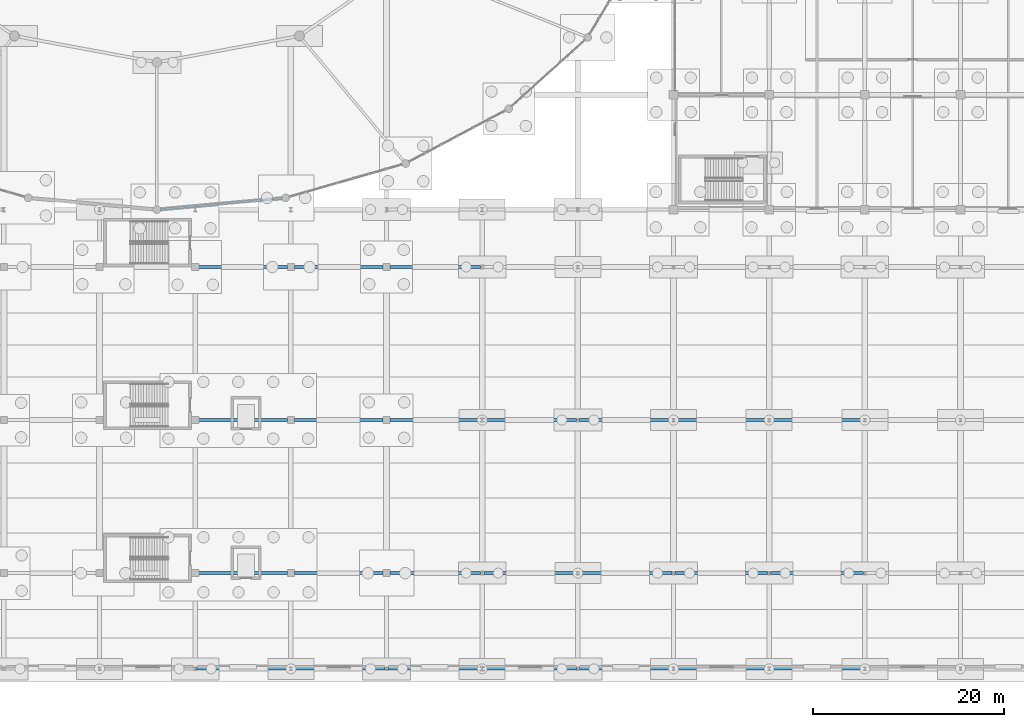
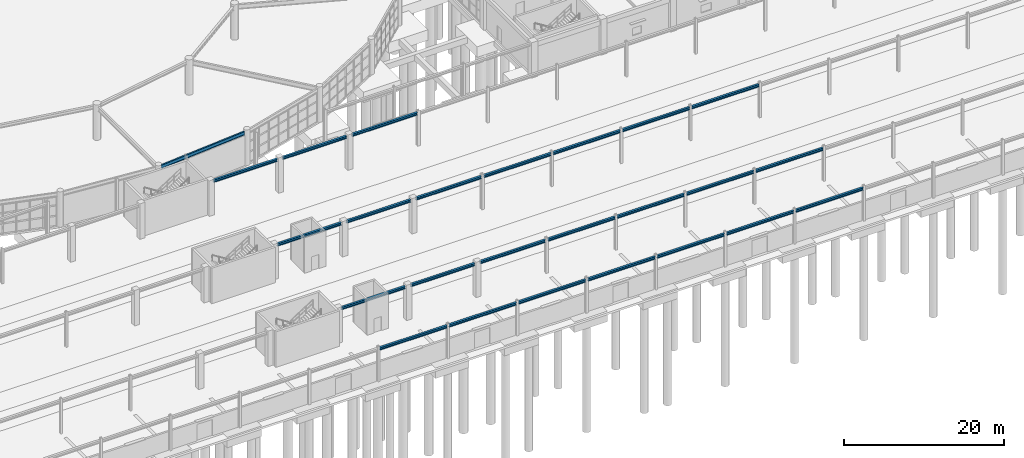
# One storey, part 33 of 99: 25 beams.
"""IFC4 building model written with IfcOpenShell, lengths in metres."""

from ifc_helpers import new_model, si_unit, direction, frame, origin, origin_2d, place, context, subcontext, project, spatial, i_section, extrude, material, material_profile, profile_set, type_object, element, save


model = new_model("IFC4")

# Units and contexts
model_context = context("Model", 3, precision=1e-05, world=origin(), true_north=direction((0.0, 1.0)))
body_context = subcontext(model_context, "Body", "Model", "MODEL_VIEW")
ifc_project = project(units=[si_unit("LENGTHUNIT", "METRE"), si_unit("AREAUNIT", "SQUARE_METRE"), si_unit("VOLUMEUNIT", "CUBIC_METRE"), si_unit("PLANEANGLEUNIT", "RADIAN"), si_unit("MASSUNIT", "GRAM", prefix="KILO")], contexts=[model_context])

# Site, building, storey
site_placement = place(None, origin())
site = spatial("IfcSite", under=ifc_project, at=site_placement, CompositionType="ELEMENT")
building_placement = place(site_placement, origin())
building = spatial("IfcBuilding", under=site, at=building_placement, Name="Kivolera Central Railway Station", CompositionType="ELEMENT")
storey_placement = place(building_placement, origin())
storey = spatial("IfcBuildingStorey", under=building, at=storey_placement, Name="L00", CompositionType="ELEMENT", Elevation=0.0)

# Beams
ifc_material = material(Name="Steel S355", Category="steel")
ifc_material_profile_1 = material_profile(ifc_material, i_section(OverallWidth=0.300048828125, OverallDepth=0.389892578125, WebThickness=0.010986328125, FlangeThickness=0.01904296875, FilletRadius=0.027099609375, at=origin_2d()), Name="HEA 400")
ifc_profile_set_1 = profile_set([ifc_material_profile_1], Name="Steel S355")
beam_type_1 = type_object("IfcBeamType", Name="BM-SHD-HEA400", PredefinedType="BEAM", material=ifc_profile_set_1)
beam_1_placement = place(storey_placement, frame((68.14697265625, 6.0, 4.919921875), z_axis=(1.0, 0.0, 0.0), x_axis=(0.0, 1.0, 0.0)))
element("IfcBeam", 1, at=beam_1_placement, inside=storey, type_object=beam_type_1, Name="Train Shed Longitudinal Tie Beam A:7-8", PredefinedType="BEAM", context=body_context, shape_type="SweptSolid", body=[
    extrude(i_section(OverallWidth=0.300048828125, OverallDepth=0.389892578125, WebThickness=0.010986328125, FlangeThickness=0.01904296875, FilletRadius=0.027099609375, at=origin_2d()), origin(), (0.0, 0.0, 1.0), 9.7060546875),
])
for number, where, z_axis, x_axis, name in (
    (2, (68.366943359375, 16.0, 4.919921875), (1.0, 0.0, 0.0), (0.0, 1.0, 0.0), "Train Shed Longitudinal Tie Beam B:7-8"),
    (3, (68.366943359375, 32.0, 4.919921875), (1.0, 0.0, 0.0), (0.0, 1.0, 0.0), "Train Shed Longitudinal Tie Beam C:7-8"),
    (4, (68.366943359375, 48.0, 4.919921875), (1.0, 0.0, 0.0), (0.0, 1.0, 0.0), "Train Shed Longitudinal Tie Beam D:7-8"),
):
    element("IfcBeam", number, at=place(storey_placement, frame(where, z_axis=z_axis, x_axis=x_axis)), inside=storey, type_object=beam_type_1, Name=name, PredefinedType="BEAM", context=body_context, shape_type="SweptSolid", body=[
        extrude(i_section(OverallWidth=0.300048828125, OverallDepth=0.389892578125, WebThickness=0.010986328125, FlangeThickness=0.01904296875, FilletRadius=0.027099609375, at=origin_2d()), origin(), (0.0, 0.0, 1.0), 9.26611328125),
    ])
beam_2_placement = place(storey_placement, frame((78.14697265625, 6.0, 4.919921875), z_axis=(1.0, 0.0, 0.0), x_axis=(0.0, 1.0, 0.0)))
element("IfcBeam", 5, at=beam_2_placement, inside=storey, type_object=beam_type_1, Name="Train Shed Longitudinal Tie Beam A:8-9", PredefinedType="BEAM", context=body_context, shape_type="SweptSolid", body=[
    extrude(i_section(OverallWidth=0.300048828125, OverallDepth=0.389892578125, WebThickness=0.010986328125, FlangeThickness=0.01904296875, FilletRadius=0.027099609375, at=origin_2d()), origin(), (0.0, 0.0, 1.0), 9.7060546875),
])
for number, where, z_axis, x_axis, name in (
    (6, (78.366943359375, 16.0, 4.919921875), (1.0, 0.0, 0.0), (0.0, 1.0, 0.0), "Train Shed Longitudinal Tie Beam B:8-9"),
    (7, (78.366943359375, 32.0, 4.919921875), (1.0, 0.0, 0.0), (0.0, 1.0, 0.0), "Train Shed Longitudinal Tie Beam C:8-9"),
    (8, (78.366943359375, 48.0, 4.919921875), (1.0, 0.0, 0.0), (0.0, 1.0, 0.0), "Train Shed Longitudinal Tie Beam D:8-9"),
):
    element("IfcBeam", number, at=place(storey_placement, frame(where, z_axis=z_axis, x_axis=x_axis)), inside=storey, type_object=beam_type_1, Name=name, PredefinedType="BEAM", context=body_context, shape_type="SweptSolid", body=[
        extrude(i_section(OverallWidth=0.300048828125, OverallDepth=0.389892578125, WebThickness=0.010986328125, FlangeThickness=0.01904296875, FilletRadius=0.027099609375, at=origin_2d()), origin(), (0.0, 0.0, 1.0), 9.26611328125),
    ])
beam_3_placement = place(storey_placement, frame((88.14697265625, 6.0, 4.919921875), z_axis=(1.0, 0.0, 0.0), x_axis=(0.0, 1.0, 0.0)))
element("IfcBeam", 9, at=beam_3_placement, inside=storey, type_object=beam_type_1, Name="Train Shed Longitudinal Tie Beam A:9-10", PredefinedType="BEAM", context=body_context, shape_type="SweptSolid", body=[
    extrude(i_section(OverallWidth=0.300048828125, OverallDepth=0.389892578125, WebThickness=0.010986328125, FlangeThickness=0.01904296875, FilletRadius=0.027099609375, at=origin_2d()), origin(), (0.0, 0.0, 1.0), 9.676025390625),
])
for number, where, z_axis, x_axis, name in (
    (10, (88.366943359375, 16.0, 4.919921875), (1.0, 0.0, 0.0), (0.0, 1.0, 0.0), "Train Shed Longitudinal Tie Beam B:9-10"),
    (11, (88.366943359375, 32.0, 4.919921875), (1.0, 0.0, 0.0), (0.0, 1.0, 0.0), "Train Shed Longitudinal Tie Beam C:9-10"),
    (12, (88.366943359375, 48.0, 4.919921875), (1.0, 0.0, 0.0), (0.0, 1.0, 0.0), "Train Shed Longitudinal Tie Beam D:9-10"),
):
    element("IfcBeam", number, at=place(storey_placement, frame(where, z_axis=z_axis, x_axis=x_axis)), inside=storey, type_object=beam_type_1, Name=name, PredefinedType="BEAM", context=body_context, shape_type="SweptSolid", body=[
        extrude(i_section(OverallWidth=0.300048828125, OverallDepth=0.389892578125, WebThickness=0.010986328125, FlangeThickness=0.01904296875, FilletRadius=0.027099609375, at=origin_2d()), origin(), (0.0, 0.0, 1.0), 9.4560546875),
    ])
for number, where, z_axis, x_axis, name in (
    (13, (98.177001953125, 6.0, 4.919921875), (1.0, 0.0, 0.0), (0.0, 1.0, 0.0), "Train Shed Longitudinal Tie Beam A:10-11"),
    (14, (98.177001953125, 16.0, 4.919921875), (1.0, 0.0, 0.0), (0.0, 1.0, 0.0), "Train Shed Longitudinal Tie Beam B:10-11"),
    (15, (98.177001953125, 32.0, 4.919921875), (1.0, 0.0, 0.0), (0.0, 1.0, 0.0), "Train Shed Longitudinal Tie Beam C:10-11"),
):
    element("IfcBeam", number, at=place(storey_placement, frame(where, z_axis=z_axis, x_axis=x_axis)), inside=storey, type_object=beam_type_1, Name=name, PredefinedType="BEAM", context=body_context, shape_type="SweptSolid", body=[
        extrude(i_section(OverallWidth=0.300048828125, OverallDepth=0.389892578125, WebThickness=0.010986328125, FlangeThickness=0.01904296875, FilletRadius=0.027099609375, at=origin_2d()), origin(), (0.0, 0.0, 1.0), 9.676025390625),
    ])
for number, where, z_axis, x_axis, name in (
    (16, (108.14697265625, 6.0, 4.919921875), (1.0, 0.0, 0.0), (0.0, 1.0, 0.0), "Train Shed Longitudinal Tie Beam A:11-12"),
    (17, (108.14697265625, 16.0, 4.919921875), (1.0, 0.0, 0.0), (0.0, 1.0, 0.0), "Train Shed Longitudinal Tie Beam B:11-12"),
    (18, (108.14697265625, 32.0, 4.919921875), (1.0, 0.0, 0.0), (0.0, 1.0, 0.0), "Train Shed Longitudinal Tie Beam C:11-12"),
    (19, (118.14697265625, 6.0, 4.919921875), (1.0, 0.0, 0.0), (0.0, 1.0, 0.0), "Train Shed Longitudinal Tie Beam A:12-13"),
    (20, (118.14697265625, 16.0, 4.919921875), (1.0, 0.0, 0.0), (0.0, 1.0, 0.0), "Train Shed Longitudinal Tie Beam B:12-13"),
    (21, (118.14697265625, 32.0, 4.919921875), (1.0, 0.0, 0.0), (0.0, 1.0, 0.0), "Train Shed Longitudinal Tie Beam C:12-13"),
    (22, (128.14697265625, 6.0, 4.919921875), (1.0, 0.0, 0.0), (0.0, 1.0, 0.0), "Train Shed Longitudinal Tie Beam A:13-14"),
    (23, (128.14697265625, 16.0, 4.919921875), (1.0, 0.0, 0.0), (0.0, 1.0, 0.0), "Train Shed Longitudinal Tie Beam B:13-14"),
    (24, (128.14697265625, 32.0, 4.919921875), (1.0, 0.0, 0.0), (0.0, 1.0, 0.0), "Train Shed Longitudinal Tie Beam C:13-14"),
):
    element("IfcBeam", number, at=place(storey_placement, frame(where, z_axis=z_axis, x_axis=x_axis)), inside=storey, type_object=beam_type_1, Name=name, PredefinedType="BEAM", context=body_context, shape_type="SweptSolid", body=[
        extrude(i_section(OverallWidth=0.300048828125, OverallDepth=0.389892578125, WebThickness=0.010986328125, FlangeThickness=0.01904296875, FilletRadius=0.027099609375, at=origin_2d()), origin(), (0.0, 0.0, 1.0), 9.7060546875),
    ])
ifc_material_profile_2 = material_profile(ifc_material, i_section(OverallWidth=0.209228515625, OverallDepth=0.533203125, WebThickness=0.010009765625, FlangeThickness=0.015625, FilletRadius=0.0126953125, at=origin_2d()), Name="UB 533x210x92")
ifc_profile_set_2 = profile_set([ifc_material_profile_2], Name="Steel S355")
beam_type_2 = type_object("IfcBeamType", Name="BM-SHD-UB533", PredefinedType="BEAM", material=ifc_profile_set_2)
beam_4_placement = place(storey_placement, frame((64.387939453125, 54.034912109375, 4.841064453125), z_axis=(0.9958650324, 0.090845127787, 0.0), x_axis=(-0.090845127787, 0.9958650324, 0.0)))
element("IfcBeam", 25, at=beam_4_placement, inside=storey, type_object=beam_type_2, Name="L00 Oval Perimeter Ring Beam 19", PredefinedType="BEAM", context=body_context, shape_type="SweptSolid", body=[
    extrude(i_section(OverallWidth=0.209228515625, OverallDepth=0.533203125, WebThickness=0.010009765625, FlangeThickness=0.015625, FilletRadius=0.0126953125, at=origin_2d()), origin(), (0.0, 0.0, 1.0), 12.73583984375),
])

save(model, "model.ifc")
